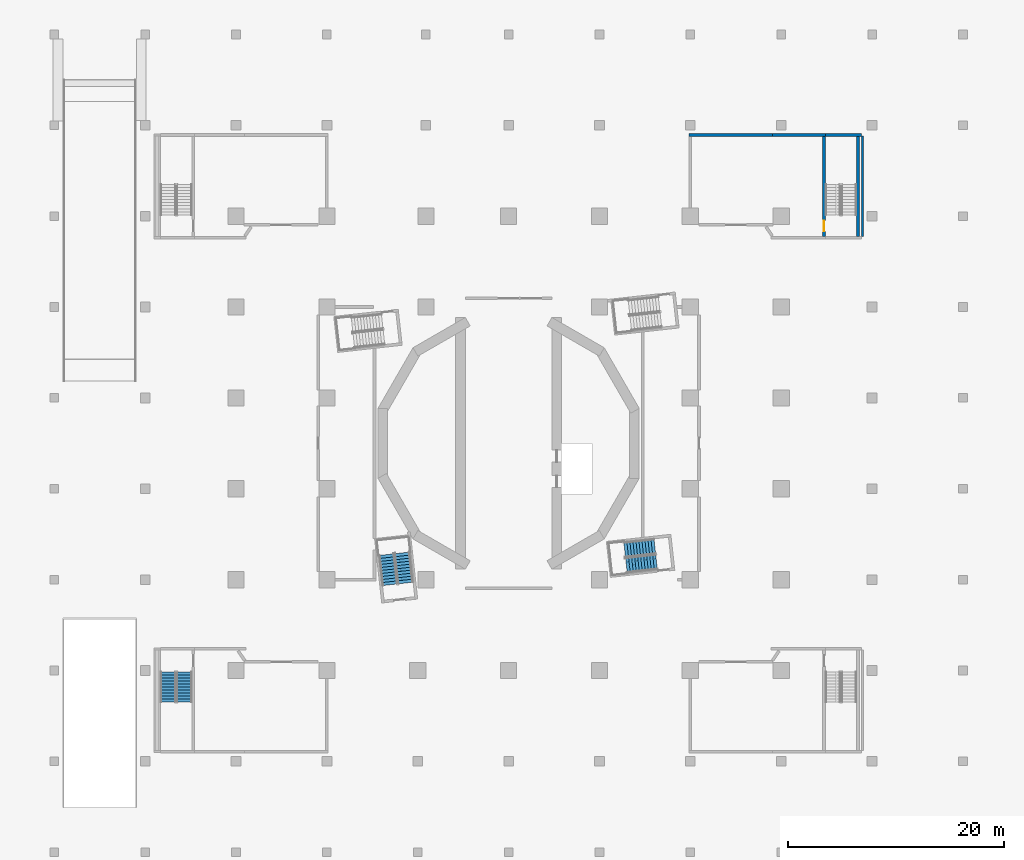
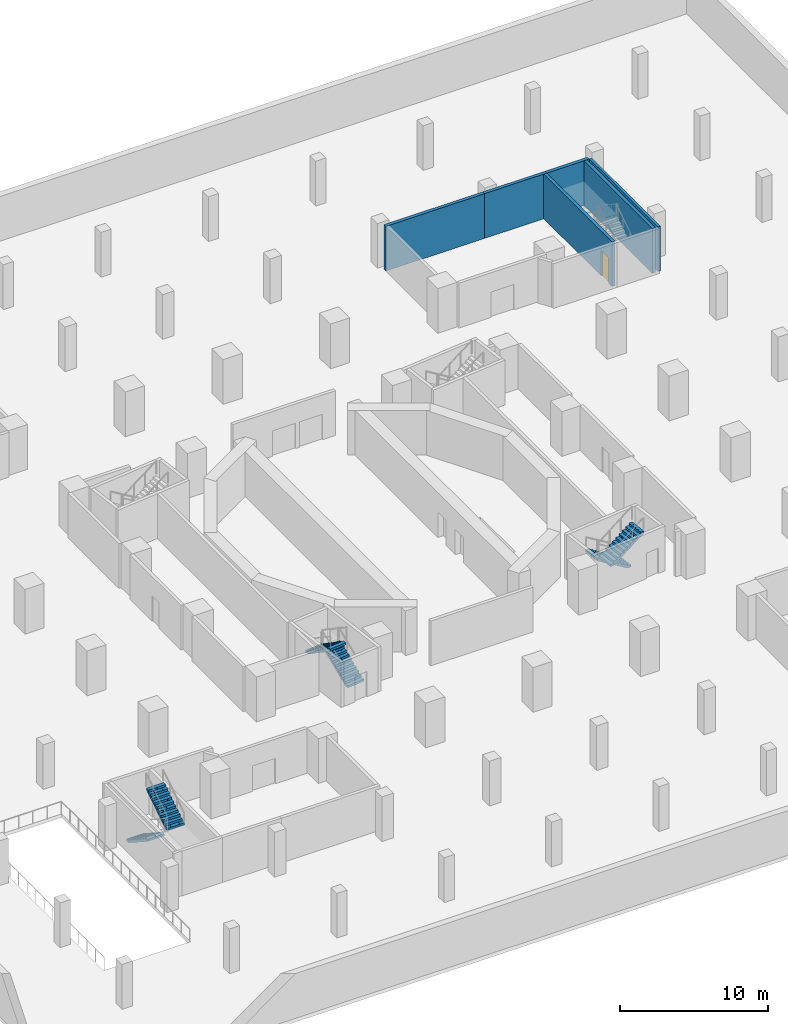
# One storey, part 10 of 18: 6 stair flights, 6 walls, 1 door, 1 opening, 3 elements without a shape of their own.
"""IFC4 building model written with IfcOpenShell, lengths in metres."""

from ifc_helpers import new_model, si_unit, direction, frame, frame_2d, origin, place, context, subcontext, project, spatial, polyline, rectangle, outline, extrude, material, layer, layer_set, type_object, element, fill, aggregate, save


model = new_model("IFC4")

# Units and contexts
model_context = context("Model", 3, precision=1e-05, world=origin(), true_north=direction((0.0, 1.0)))
body_context = subcontext(model_context, "Body", "Model", "MODEL_VIEW")
ifc_project = project(units=[si_unit("LENGTHUNIT", "METRE"), si_unit("AREAUNIT", "SQUARE_METRE"), si_unit("VOLUMEUNIT", "CUBIC_METRE"), si_unit("PLANEANGLEUNIT", "RADIAN"), si_unit("MASSUNIT", "GRAM", prefix="KILO")], contexts=[model_context])

# Site, building, storey
site_placement = place(None, origin())
site = spatial("IfcSite", under=ifc_project, at=site_placement, CompositionType="ELEMENT")
building_placement = place(site_placement, origin())
building = spatial("IfcBuilding", under=site, at=building_placement, Name="Cantera Rosa Tower", CompositionType="ELEMENT")
storey_placement = place(building_placement, frame((0.0, 0.0, -13.0)))
storey = spatial("IfcBuildingStorey", under=building, at=storey_placement, Name="B3", CompositionType="ELEMENT", Elevation=-13.0)

# Walls
ifc_material_1 = material(Name="Masonry blockwork", Category="masonry")
ifc_layer_1 = layer(ifc_material_1, 0.199951171875)
ifc_layer_set_1 = layer_set([ifc_layer_1], Name="Blockwork partition 200")
wall_type_1 = type_object("IfcWallType", Name="Blockwork partition 200", PredefinedType="PARTITIONING", material=ifc_layer_set_1)
wall_1_placement = place(storey_placement, frame((32.699951171875, 19.10009765625, 0.0), z_axis=(0.0, 0.0, 1.0), x_axis=(0.0, 1.0, 0.0)))
element("IfcWall", 1, at=wall_1_placement, inside=storey, type_object=wall_type_1, Name="Partition B3-33", PredefinedType="PARTITIONING", context=body_context, shape_type="SweptSolid", body=[
    extrude(rectangle(XDim=9.2998046875, YDim=0.199951171875, at=frame_2d((4.64990234375, 0.0))), origin(), (0.0, 0.0, 1.0), 3.699951171875),
])
ifc_material_2 = material(Name="Concrete C50/60", Category="concrete")
ifc_layer_2 = layer(ifc_material_2, 0.25)
ifc_layer_set_2 = layer_set([ifc_layer_2], Name="External stair wall 250")
wall_type_2 = type_object("IfcWallType", Name="External stair wall 250", PredefinedType="SOLIDWALL", material=ifc_layer_set_2)
wall_2_placement = place(storey_placement, frame((29.27490234375, 28.5, 0.0), z_axis=(0.0, 0.0, 1.0), x_axis=(1.0, 0.0, 0.0)))
element("IfcWall", 2, at=wall_2_placement, inside=storey, type_object=wall_type_2, Name="Stair wall B3-24", PredefinedType="SOLIDWALL", context=body_context, shape_type="SweptSolid", body=[
    extrude(rectangle(XDim=3.3251953125, YDim=0.25, at=frame_2d((1.66259765625, 0.0))), origin(), (0.0, 0.0, 1.0), 3.699951171875),
])
ifc_material_3 = material(Name="Masonry blockwork", Category="masonry")
ifc_layer_3 = layer(ifc_material_3, 0.25)
ifc_layer_set_3 = layer_set([ifc_layer_3], Name="Fire-rated external wall 250")
wall_type_3 = type_object("IfcWallType", Name="Fire-rated external wall 250", PredefinedType="PARTITIONING", material=ifc_layer_set_3)
wall_3_placement = place(storey_placement, frame((16.675048828125, 28.5, 0.0), z_axis=(0.0, 0.0, 1.0), x_axis=(1.0, 0.0, 0.0)))
element("IfcWall", 3, at=wall_3_placement, inside=storey, type_object=wall_type_3, Name="Fire wall B3-22", PredefinedType="PARTITIONING", context=body_context, shape_type="SweptSolid", body=[
    extrude(rectangle(XDim=7.724853515625, YDim=0.25, at=frame_2d((3.8623046875, 0.0))), origin(), (0.0, 0.0, 1.0), 3.699951171875),
])
wall_4_placement = place(storey_placement, frame((24.39990234375, 28.5, 0.0), z_axis=(0.0, 0.0, 1.0), x_axis=(1.0, 0.0, 0.0)))
element("IfcWall", 4, at=wall_4_placement, inside=storey, type_object=wall_type_3, Name="Fire wall B3-23", PredefinedType="PARTITIONING", context=body_context, shape_type="SweptSolid", body=[
    extrude(rectangle(XDim=4.875, YDim=0.25, at=frame_2d((2.4375, 0.0))), origin(), (0.0, 0.0, 1.0), 3.699951171875),
])
ifc_material_4 = material(Name="Concrete C50/60", Category="concrete")
ifc_layer_4 = layer(ifc_material_4, 0.25)
ifc_layer_set_4 = layer_set([ifc_layer_4], Name="RC stair wall 250 C50/60")
wall_type_4 = type_object("IfcWallType", Name="RC stair wall 250", PredefinedType="SOLIDWALL", material=ifc_layer_set_4)
wall_5_placement = place(storey_placement, frame((32.300048828125, 19.125, 0.0), z_axis=(0.0, 0.0, 1.0), x_axis=(0.0, 1.0, 0.0)))
element("IfcWall", 5, at=wall_5_placement, inside=storey, type_object=wall_type_4, Name="Stair wall B3-17", PredefinedType="SOLIDWALL", context=body_context, shape_type="SweptSolid", body=[
    extrude(rectangle(XDim=9.25, YDim=0.25, at=frame_2d((4.625, 0.0))), origin(), (0.0, 0.0, 1.0), 3.699951171875),
])

# Wall, opening, door
wall_6_placement = place(storey_placement, frame((29.14990234375, 19.125, 0.0), z_axis=(0.0, 0.0, 1.0), x_axis=(0.0, 1.0, 0.0)))
wall_6 = element("IfcWall", 6, at=wall_6_placement, inside=storey, type_object=wall_type_4, Name="Stair wall B3-26", PredefinedType="SOLIDWALL", context=body_context, shape_type="SweptSolid", body=[
    extrude(rectangle(XDim=9.25, YDim=0.25, at=frame_2d((4.625, 0.0))), origin(), (0.0, 0.0, 1.0), 3.699951171875),
])
opening_placement = place(wall_6_placement, frame((0.47509765625, 0.0, 0.0)))
opening = element("IfcOpeningElement", 7, at=opening_placement, cuts=wall_6, Name="Opening B3-002", PredefinedType="OPENING", context=body_context, shape_type="SweptSolid", body=[
    extrude(rectangle(XDim=1.0, YDim=2.10009765625, at=frame_2d((0.5, 1.050048828125))), frame((0.0, 0.135009765625, 0.0), z_axis=(0.0, -1.0, 0.0), x_axis=(1.0, 0.0, 0.0)), (0.0, 0.0, 1.0), 0.27001953125),
])
ifc_material_5 = material(Name="Steel S355J2 (EN 10025-2)", Category="steel")
door_type = type_object("IfcDoorType", Name="Fire door 1000x2100 EI 120", OperationType="NOTDEFINED", PredefinedType="DOOR", material=ifc_material_5)
door_placement = place(opening_placement, origin())
door = element("IfcDoor", 8, at=door_placement, inside=storey, type_object=door_type, Name="Door B3-002", OverallHeight=2.10009765625, OverallWidth=1.0, PredefinedType="DOOR", context=body_context, shape_type="SweptSolid", body=[
    extrude(rectangle(XDim=1.0, YDim=2.10009765625, at=frame_2d((0.5, 1.050048828125))), frame((0.0, 0.02490234375, 0.0), z_axis=(0.0, -1.0, 0.0), x_axis=(1.0, 0.0, 0.0)), (0.0, 0.0, 1.0), 0.050048828125),
])
fill(opening, door)

# Stair, stair flights
ifc_material_6 = material(Name="Concrete C35/45", Category="concrete")
stair_type_1 = type_object("IfcStairType", Name="EXIT STAIR 1350 DOGLEG", PredefinedType="HALF_TURN_STAIR", material=ifc_material_6)
stair_1_placement = place(storey_placement, origin())
stair_1 = element("IfcStair", 9, at=stair_1_placement, inside=storey, type_object=stair_type_1, Name="B3 ST-13", PredefinedType="HALF_TURN_STAIR")
ifc_material_7 = material(Name="Concrete C35/45", Category="concrete")
stair_flight_type_1 = type_object("IfcStairFlightType", Name="STAIR FLIGHT 1350 R22x182", PredefinedType="STRAIGHT", material=ifc_material_7)
stair_flight_1_placement = place(storey_placement, frame((-9.500244140625, -12.90869140625, 0.0), z_axis=(0.0, 0.0, 1.0), x_axis=(-0.110312549749, 0.993896947056, 0.0)))
stair_flight_1 = element("IfcStairFlight", 10, at=stair_flight_1_placement, type_object=stair_flight_type_1, Name="ST-13 flight 1", NumberOfRisers=11, NumberOfTreads=10, PredefinedType="STRAIGHT", RiserHeight=0.181818182, TreadLength=0.28, context=body_context, shape_type="SweptSolid", body=[
    extrude(outline(polyline([(0.0, 0.0), (0.0, 0.181884765625), (0.280029296875, 0.181884765625), (0.280029296875, 0.363525390625), (0.56005859375, 0.363525390625), (0.56005859375, 0.54541015625), (0.840087890625, 0.54541015625), (0.840087890625, 0.727294921875), (1.1201171875, 0.727294921875), (1.1201171875, 0.9091796875), (1.39990234375, 0.9091796875), (1.39990234375, 1.0908203125), (1.679931640625, 1.0908203125), (1.679931640625, 1.272705078125), (1.9599609375, 1.272705078125), (1.9599609375, 1.45458984375), (2.239990234375, 1.45458984375), (2.239990234375, 1.636474609375), (2.52001953125, 1.636474609375), (2.52001953125, 1.818115234375), (2.800048828125, 1.818115234375), (2.800048828125, 2.0), (2.800048828125, 1.639404296875), (0.275146484375, 0.0), (0.0, 0.0)])), frame((0.0, 0.675048828125, 0.0), z_axis=(0.0, -1.0, 0.0), x_axis=(1.0, 0.0, 0.0)), (0.0, 0.0, 1.0), 0.3359375),
    extrude(outline(polyline([(0.0, 0.0), (0.0, 0.181884765625), (0.280029296875, 0.181884765625), (0.280029296875, 0.363525390625), (0.56005859375, 0.363525390625), (0.56005859375, 0.54541015625), (0.840087890625, 0.54541015625), (0.840087890625, 0.727294921875), (1.1201171875, 0.727294921875), (1.1201171875, 0.9091796875), (1.39990234375, 0.9091796875), (1.39990234375, 1.0908203125), (1.679931640625, 1.0908203125), (1.679931640625, 1.272705078125), (1.9599609375, 1.272705078125), (1.9599609375, 1.45458984375), (2.239990234375, 1.45458984375), (2.239990234375, 1.636474609375), (2.52001953125, 1.636474609375), (2.52001953125, 1.818115234375), (2.800048828125, 1.818115234375), (2.800048828125, 2.0), (2.800048828125, 1.639404296875), (0.275146484375, 0.0), (0.0, 0.0)])), frame((0.0, 0.337158203125, 0.0), z_axis=(0.0, -1.0, 0.0), x_axis=(1.0, 0.0, 0.0)), (0.0, 0.0, 1.0), 0.3359375),
    extrude(outline(polyline([(0.0, 0.0), (0.0, 0.181884765625), (0.280029296875, 0.181884765625), (0.280029296875, 0.363525390625), (0.56005859375, 0.363525390625), (0.56005859375, 0.54541015625), (0.840087890625, 0.54541015625), (0.840087890625, 0.727294921875), (1.1201171875, 0.727294921875), (1.1201171875, 0.9091796875), (1.39990234375, 0.9091796875), (1.39990234375, 1.0908203125), (1.679931640625, 1.0908203125), (1.679931640625, 1.272705078125), (1.9599609375, 1.272705078125), (1.9599609375, 1.45458984375), (2.239990234375, 1.45458984375), (2.239990234375, 1.636474609375), (2.52001953125, 1.636474609375), (2.52001953125, 1.818115234375), (2.800048828125, 1.818115234375), (2.800048828125, 2.0), (2.800048828125, 1.639404296875), (0.275146484375, 0.0), (0.0, 0.0)])), frame((0.0, -0.000732421875, 0.0), z_axis=(0.0, -1.0, 0.0), x_axis=(1.0, 0.0, 0.0)), (0.0, 0.0, 1.0), 0.3359375),
    extrude(outline(polyline([(0.0, 0.0), (0.0, 0.181884765625), (0.280029296875, 0.181884765625), (0.280029296875, 0.363525390625), (0.56005859375, 0.363525390625), (0.56005859375, 0.54541015625), (0.840087890625, 0.54541015625), (0.840087890625, 0.727294921875), (1.1201171875, 0.727294921875), (1.1201171875, 0.9091796875), (1.39990234375, 0.9091796875), (1.39990234375, 1.0908203125), (1.679931640625, 1.0908203125), (1.679931640625, 1.272705078125), (1.9599609375, 1.272705078125), (1.9599609375, 1.45458984375), (2.239990234375, 1.45458984375), (2.239990234375, 1.636474609375), (2.52001953125, 1.636474609375), (2.52001953125, 1.818115234375), (2.800048828125, 1.818115234375), (2.800048828125, 2.0), (2.800048828125, 1.639404296875), (0.275146484375, 0.0), (0.0, 0.0)])), frame((0.0, -0.338623046875, 0.0), z_axis=(0.0, -1.0, 0.0), x_axis=(1.0, 0.0, 0.0)), (0.0, 0.0, 1.0), 0.3359375),
])
stair_flight_2_placement = place(storey_placement, frame((-11.2998046875, -10.291259765625, 2.0), z_axis=(0.0, 0.0, 1.0), x_axis=(0.110312549749, -0.993896947056, 0.0)))
stair_flight_2 = element("IfcStairFlight", 11, at=stair_flight_2_placement, type_object=stair_flight_type_1, Name="ST-13 flight 2", NumberOfRisers=11, NumberOfTreads=10, PredefinedType="STRAIGHT", RiserHeight=0.181818182, TreadLength=0.28, context=body_context, shape_type="SweptSolid", body=[
    extrude(outline(polyline([(0.0, 0.0), (0.0, 0.181884765625), (0.280029296875, 0.181884765625), (0.280029296875, 0.363525390625), (0.56005859375, 0.363525390625), (0.56005859375, 0.54541015625), (0.840087890625, 0.54541015625), (0.840087890625, 0.727294921875), (1.1201171875, 0.727294921875), (1.1201171875, 0.9091796875), (1.39990234375, 0.9091796875), (1.39990234375, 1.0908203125), (1.679931640625, 1.0908203125), (1.679931640625, 1.272705078125), (1.9599609375, 1.272705078125), (1.9599609375, 1.45458984375), (2.239990234375, 1.45458984375), (2.239990234375, 1.636474609375), (2.52001953125, 1.636474609375), (2.52001953125, 1.818115234375), (2.800048828125, 1.818115234375), (2.800048828125, 2.0), (2.800048828125, 1.639404296875), (0.275146484375, 0.0), (0.0, 0.0)])), frame((0.0, 0.675048828125, 0.0), z_axis=(0.0, -1.0, 0.0), x_axis=(1.0, 0.0, 0.0)), (0.0, 0.0, 1.0), 0.3359375),
    extrude(outline(polyline([(0.0, 0.0), (0.0, 0.181884765625), (0.280029296875, 0.181884765625), (0.280029296875, 0.363525390625), (0.56005859375, 0.363525390625), (0.56005859375, 0.54541015625), (0.840087890625, 0.54541015625), (0.840087890625, 0.727294921875), (1.1201171875, 0.727294921875), (1.1201171875, 0.9091796875), (1.39990234375, 0.9091796875), (1.39990234375, 1.0908203125), (1.679931640625, 1.0908203125), (1.679931640625, 1.272705078125), (1.9599609375, 1.272705078125), (1.9599609375, 1.45458984375), (2.239990234375, 1.45458984375), (2.239990234375, 1.636474609375), (2.52001953125, 1.636474609375), (2.52001953125, 1.818115234375), (2.800048828125, 1.818115234375), (2.800048828125, 2.0), (2.800048828125, 1.639404296875), (0.275146484375, 0.0), (0.0, 0.0)])), frame((0.0, 0.337158203125, 0.0), z_axis=(0.0, -1.0, 0.0), x_axis=(1.0, 0.0, 0.0)), (0.0, 0.0, 1.0), 0.3359375),
    extrude(outline(polyline([(0.0, 0.0), (0.0, 0.181884765625), (0.280029296875, 0.181884765625), (0.280029296875, 0.363525390625), (0.56005859375, 0.363525390625), (0.56005859375, 0.54541015625), (0.840087890625, 0.54541015625), (0.840087890625, 0.727294921875), (1.1201171875, 0.727294921875), (1.1201171875, 0.9091796875), (1.39990234375, 0.9091796875), (1.39990234375, 1.0908203125), (1.679931640625, 1.0908203125), (1.679931640625, 1.272705078125), (1.9599609375, 1.272705078125), (1.9599609375, 1.45458984375), (2.239990234375, 1.45458984375), (2.239990234375, 1.636474609375), (2.52001953125, 1.636474609375), (2.52001953125, 1.818115234375), (2.800048828125, 1.818115234375), (2.800048828125, 2.0), (2.800048828125, 1.639404296875), (0.275146484375, 0.0), (0.0, 0.0)])), frame((0.0, -0.000732421875, 0.0), z_axis=(0.0, -1.0, 0.0), x_axis=(1.0, 0.0, 0.0)), (0.0, 0.0, 1.0), 0.3359375),
    extrude(outline(polyline([(0.0, 0.0), (0.0, 0.181884765625), (0.280029296875, 0.181884765625), (0.280029296875, 0.363525390625), (0.56005859375, 0.363525390625), (0.56005859375, 0.54541015625), (0.840087890625, 0.54541015625), (0.840087890625, 0.727294921875), (1.1201171875, 0.727294921875), (1.1201171875, 0.9091796875), (1.39990234375, 0.9091796875), (1.39990234375, 1.0908203125), (1.679931640625, 1.0908203125), (1.679931640625, 1.272705078125), (1.9599609375, 1.272705078125), (1.9599609375, 1.45458984375), (2.239990234375, 1.45458984375), (2.239990234375, 1.636474609375), (2.52001953125, 1.636474609375), (2.52001953125, 1.818115234375), (2.800048828125, 1.818115234375), (2.800048828125, 2.0), (2.800048828125, 1.639404296875), (0.275146484375, 0.0), (0.0, 0.0)])), frame((0.0, -0.338623046875, 0.0), z_axis=(0.0, -1.0, 0.0), x_axis=(1.0, 0.0, 0.0)), (0.0, 0.0, 1.0), 0.3359375),
])
aggregate(stair_1, [stair_flight_1, stair_flight_2])

stair_2_placement = place(storey_placement, origin())
stair_2 = element("IfcStair", 12, at=stair_2_placement, inside=storey, type_object=stair_type_1, Name="B3 ST-14", PredefinedType="HALF_TURN_STAIR")
stair_flight_3_placement = place(storey_placement, frame((13.5087890625, -9.500244140625, 0.0), z_axis=(0.0, 0.0, 1.0), x_axis=(-0.993896947056, -0.110312549749, 0.0)))
stair_flight_3 = element("IfcStairFlight", 13, at=stair_flight_3_placement, type_object=stair_flight_type_1, Name="ST-14 flight 1", NumberOfRisers=11, NumberOfTreads=10, PredefinedType="STRAIGHT", RiserHeight=0.181818182, TreadLength=0.28, context=body_context, shape_type="SweptSolid", body=[
    extrude(outline(polyline([(0.0, 0.0), (0.0, 0.181884765625), (0.280029296875, 0.181884765625), (0.280029296875, 0.363525390625), (0.56005859375, 0.363525390625), (0.56005859375, 0.54541015625), (0.840087890625, 0.54541015625), (0.840087890625, 0.727294921875), (1.1201171875, 0.727294921875), (1.1201171875, 0.9091796875), (1.39990234375, 0.9091796875), (1.39990234375, 1.0908203125), (1.679931640625, 1.0908203125), (1.679931640625, 1.272705078125), (1.9599609375, 1.272705078125), (1.9599609375, 1.45458984375), (2.239990234375, 1.45458984375), (2.239990234375, 1.636474609375), (2.52001953125, 1.636474609375), (2.52001953125, 1.818115234375), (2.800048828125, 1.818115234375), (2.800048828125, 2.0), (2.800048828125, 1.639404296875), (0.275146484375, 0.0), (0.0, 0.0)])), frame((0.0, 0.675048828125, 0.0), z_axis=(0.0, -1.0, 0.0), x_axis=(1.0, 0.0, 0.0)), (0.0, 0.0, 1.0), 0.3359375),
    extrude(outline(polyline([(0.0, 0.0), (0.0, 0.181884765625), (0.280029296875, 0.181884765625), (0.280029296875, 0.363525390625), (0.56005859375, 0.363525390625), (0.56005859375, 0.54541015625), (0.840087890625, 0.54541015625), (0.840087890625, 0.727294921875), (1.1201171875, 0.727294921875), (1.1201171875, 0.9091796875), (1.39990234375, 0.9091796875), (1.39990234375, 1.0908203125), (1.679931640625, 1.0908203125), (1.679931640625, 1.272705078125), (1.9599609375, 1.272705078125), (1.9599609375, 1.45458984375), (2.239990234375, 1.45458984375), (2.239990234375, 1.636474609375), (2.52001953125, 1.636474609375), (2.52001953125, 1.818115234375), (2.800048828125, 1.818115234375), (2.800048828125, 2.0), (2.800048828125, 1.639404296875), (0.275146484375, 0.0), (0.0, 0.0)])), frame((0.0, 0.337158203125, 0.0), z_axis=(0.0, -1.0, 0.0), x_axis=(1.0, 0.0, 0.0)), (0.0, 0.0, 1.0), 0.3359375),
    extrude(outline(polyline([(0.0, 0.0), (0.0, 0.181884765625), (0.280029296875, 0.181884765625), (0.280029296875, 0.363525390625), (0.56005859375, 0.363525390625), (0.56005859375, 0.54541015625), (0.840087890625, 0.54541015625), (0.840087890625, 0.727294921875), (1.1201171875, 0.727294921875), (1.1201171875, 0.9091796875), (1.39990234375, 0.9091796875), (1.39990234375, 1.0908203125), (1.679931640625, 1.0908203125), (1.679931640625, 1.272705078125), (1.9599609375, 1.272705078125), (1.9599609375, 1.45458984375), (2.239990234375, 1.45458984375), (2.239990234375, 1.636474609375), (2.52001953125, 1.636474609375), (2.52001953125, 1.818115234375), (2.800048828125, 1.818115234375), (2.800048828125, 2.0), (2.800048828125, 1.639404296875), (0.275146484375, 0.0), (0.0, 0.0)])), frame((0.0, -0.000732421875, 0.0), z_axis=(0.0, -1.0, 0.0), x_axis=(1.0, 0.0, 0.0)), (0.0, 0.0, 1.0), 0.3359375),
    extrude(outline(polyline([(0.0, 0.0), (0.0, 0.181884765625), (0.280029296875, 0.181884765625), (0.280029296875, 0.363525390625), (0.56005859375, 0.363525390625), (0.56005859375, 0.54541015625), (0.840087890625, 0.54541015625), (0.840087890625, 0.727294921875), (1.1201171875, 0.727294921875), (1.1201171875, 0.9091796875), (1.39990234375, 0.9091796875), (1.39990234375, 1.0908203125), (1.679931640625, 1.0908203125), (1.679931640625, 1.272705078125), (1.9599609375, 1.272705078125), (1.9599609375, 1.45458984375), (2.239990234375, 1.45458984375), (2.239990234375, 1.636474609375), (2.52001953125, 1.636474609375), (2.52001953125, 1.818115234375), (2.800048828125, 1.818115234375), (2.800048828125, 2.0), (2.800048828125, 1.639404296875), (0.275146484375, 0.0), (0.0, 0.0)])), frame((0.0, -0.338623046875, 0.0), z_axis=(0.0, -1.0, 0.0), x_axis=(1.0, 0.0, 0.0)), (0.0, 0.0, 1.0), 0.3359375),
])
stair_flight_4_placement = place(storey_placement, frame((10.891357421875, -11.2998046875, 2.0), z_axis=(0.0, 0.0, 1.0), x_axis=(0.993896947056, 0.110312549749, 0.0)))
stair_flight_4 = element("IfcStairFlight", 14, at=stair_flight_4_placement, type_object=stair_flight_type_1, Name="ST-14 flight 2", NumberOfRisers=11, NumberOfTreads=10, PredefinedType="STRAIGHT", RiserHeight=0.181818182, TreadLength=0.28, context=body_context, shape_type="SweptSolid", body=[
    extrude(outline(polyline([(0.0, 0.0), (0.0, 0.181884765625), (0.280029296875, 0.181884765625), (0.280029296875, 0.363525390625), (0.56005859375, 0.363525390625), (0.56005859375, 0.54541015625), (0.840087890625, 0.54541015625), (0.840087890625, 0.727294921875), (1.1201171875, 0.727294921875), (1.1201171875, 0.9091796875), (1.39990234375, 0.9091796875), (1.39990234375, 1.0908203125), (1.679931640625, 1.0908203125), (1.679931640625, 1.272705078125), (1.9599609375, 1.272705078125), (1.9599609375, 1.45458984375), (2.239990234375, 1.45458984375), (2.239990234375, 1.636474609375), (2.52001953125, 1.636474609375), (2.52001953125, 1.818115234375), (2.800048828125, 1.818115234375), (2.800048828125, 2.0), (2.800048828125, 1.639404296875), (0.275146484375, 0.0), (0.0, 0.0)])), frame((0.0, 0.675048828125, 0.0), z_axis=(0.0, -1.0, 0.0), x_axis=(1.0, 0.0, 0.0)), (0.0, 0.0, 1.0), 0.3359375),
    extrude(outline(polyline([(0.0, 0.0), (0.0, 0.181884765625), (0.280029296875, 0.181884765625), (0.280029296875, 0.363525390625), (0.56005859375, 0.363525390625), (0.56005859375, 0.54541015625), (0.840087890625, 0.54541015625), (0.840087890625, 0.727294921875), (1.1201171875, 0.727294921875), (1.1201171875, 0.9091796875), (1.39990234375, 0.9091796875), (1.39990234375, 1.0908203125), (1.679931640625, 1.0908203125), (1.679931640625, 1.272705078125), (1.9599609375, 1.272705078125), (1.9599609375, 1.45458984375), (2.239990234375, 1.45458984375), (2.239990234375, 1.636474609375), (2.52001953125, 1.636474609375), (2.52001953125, 1.818115234375), (2.800048828125, 1.818115234375), (2.800048828125, 2.0), (2.800048828125, 1.639404296875), (0.275146484375, 0.0), (0.0, 0.0)])), frame((0.0, 0.337158203125, 0.0), z_axis=(0.0, -1.0, 0.0), x_axis=(1.0, 0.0, 0.0)), (0.0, 0.0, 1.0), 0.3359375),
    extrude(outline(polyline([(0.0, 0.0), (0.0, 0.181884765625), (0.280029296875, 0.181884765625), (0.280029296875, 0.363525390625), (0.56005859375, 0.363525390625), (0.56005859375, 0.54541015625), (0.840087890625, 0.54541015625), (0.840087890625, 0.727294921875), (1.1201171875, 0.727294921875), (1.1201171875, 0.9091796875), (1.39990234375, 0.9091796875), (1.39990234375, 1.0908203125), (1.679931640625, 1.0908203125), (1.679931640625, 1.272705078125), (1.9599609375, 1.272705078125), (1.9599609375, 1.45458984375), (2.239990234375, 1.45458984375), (2.239990234375, 1.636474609375), (2.52001953125, 1.636474609375), (2.52001953125, 1.818115234375), (2.800048828125, 1.818115234375), (2.800048828125, 2.0), (2.800048828125, 1.639404296875), (0.275146484375, 0.0), (0.0, 0.0)])), frame((0.0, -0.000732421875, 0.0), z_axis=(0.0, -1.0, 0.0), x_axis=(1.0, 0.0, 0.0)), (0.0, 0.0, 1.0), 0.3359375),
    extrude(outline(polyline([(0.0, 0.0), (0.0, 0.181884765625), (0.280029296875, 0.181884765625), (0.280029296875, 0.363525390625), (0.56005859375, 0.363525390625), (0.56005859375, 0.54541015625), (0.840087890625, 0.54541015625), (0.840087890625, 0.727294921875), (1.1201171875, 0.727294921875), (1.1201171875, 0.9091796875), (1.39990234375, 0.9091796875), (1.39990234375, 1.0908203125), (1.679931640625, 1.0908203125), (1.679931640625, 1.272705078125), (1.9599609375, 1.272705078125), (1.9599609375, 1.45458984375), (2.239990234375, 1.45458984375), (2.239990234375, 1.636474609375), (2.52001953125, 1.636474609375), (2.52001953125, 1.818115234375), (2.800048828125, 1.818115234375), (2.800048828125, 2.0), (2.800048828125, 1.639404296875), (0.275146484375, 0.0), (0.0, 0.0)])), frame((0.0, -0.338623046875, 0.0), z_axis=(0.0, -1.0, 0.0), x_axis=(1.0, 0.0, 0.0)), (0.0, 0.0, 1.0), 0.3359375),
])
aggregate(stair_2, [stair_flight_3, stair_flight_4])

ifc_material_8 = material(Name="Concrete C35/45", Category="concrete")
stair_type_2 = type_object("IfcStairType", Name="Stair half-turn 1350", PredefinedType="HALF_TURN_STAIR", material=ifc_material_8)
stair_3_placement = place(storey_placement, origin())
stair_3 = element("IfcStair", 15, at=stair_3_placement, inside=storey, type_object=stair_type_2, Name="B3 ST-SW", PredefinedType="HALF_TURN_STAIR")
ifc_material_9 = material(Name="Concrete C35/45", Category="concrete")
stair_flight_type_2 = type_object("IfcStairFlightType", Name="Stair flight 1350", PredefinedType="STRAIGHT", material=ifc_material_9)
stair_flight_5_placement = place(storey_placement, frame((-31.5, -21.125, 0.0), z_axis=(0.0, 0.0, 1.0), x_axis=(0.0, -1.0, 0.0)))
stair_flight_5 = element("IfcStairFlight", 16, at=stair_flight_5_placement, type_object=stair_flight_type_2, Name="ST-SW flight 1", NumberOfRisers=11, NumberOfTreads=10, PredefinedType="STRAIGHT", RiserHeight=0.181818182, TreadLength=0.28, context=body_context, shape_type="SweptSolid", body=[
    extrude(outline(polyline([(0.0, 0.0), (0.0, 0.181884765625), (0.280029296875, 0.181884765625), (0.280029296875, 0.363525390625), (0.56005859375, 0.363525390625), (0.56005859375, 0.54541015625), (0.840087890625, 0.54541015625), (0.840087890625, 0.727294921875), (1.1201171875, 0.727294921875), (1.1201171875, 0.9091796875), (1.39990234375, 0.9091796875), (1.39990234375, 1.0908203125), (1.679931640625, 1.0908203125), (1.679931640625, 1.272705078125), (1.9599609375, 1.272705078125), (1.9599609375, 1.45458984375), (2.239990234375, 1.45458984375), (2.239990234375, 1.636474609375), (2.52001953125, 1.636474609375), (2.52001953125, 1.818115234375), (2.800048828125, 1.818115234375), (2.800048828125, 2.0), (2.800048828125, 1.639404296875), (0.275146484375, 0.0), (0.0, 0.0)])), frame((0.0, 0.675048828125, 0.0), z_axis=(0.0, -1.0, 0.0), x_axis=(1.0, 0.0, 0.0)), (0.0, 0.0, 1.0), 0.3359375),
    extrude(outline(polyline([(0.0, 0.0), (0.0, 0.181884765625), (0.280029296875, 0.181884765625), (0.280029296875, 0.363525390625), (0.56005859375, 0.363525390625), (0.56005859375, 0.54541015625), (0.840087890625, 0.54541015625), (0.840087890625, 0.727294921875), (1.1201171875, 0.727294921875), (1.1201171875, 0.9091796875), (1.39990234375, 0.9091796875), (1.39990234375, 1.0908203125), (1.679931640625, 1.0908203125), (1.679931640625, 1.272705078125), (1.9599609375, 1.272705078125), (1.9599609375, 1.45458984375), (2.239990234375, 1.45458984375), (2.239990234375, 1.636474609375), (2.52001953125, 1.636474609375), (2.52001953125, 1.818115234375), (2.800048828125, 1.818115234375), (2.800048828125, 2.0), (2.800048828125, 1.639404296875), (0.275146484375, 0.0), (0.0, 0.0)])), frame((0.0, 0.337158203125, 0.0), z_axis=(0.0, -1.0, 0.0), x_axis=(1.0, 0.0, 0.0)), (0.0, 0.0, 1.0), 0.3359375),
    extrude(outline(polyline([(0.0, 0.0), (0.0, 0.181884765625), (0.280029296875, 0.181884765625), (0.280029296875, 0.363525390625), (0.56005859375, 0.363525390625), (0.56005859375, 0.54541015625), (0.840087890625, 0.54541015625), (0.840087890625, 0.727294921875), (1.1201171875, 0.727294921875), (1.1201171875, 0.9091796875), (1.39990234375, 0.9091796875), (1.39990234375, 1.0908203125), (1.679931640625, 1.0908203125), (1.679931640625, 1.272705078125), (1.9599609375, 1.272705078125), (1.9599609375, 1.45458984375), (2.239990234375, 1.45458984375), (2.239990234375, 1.636474609375), (2.52001953125, 1.636474609375), (2.52001953125, 1.818115234375), (2.800048828125, 1.818115234375), (2.800048828125, 2.0), (2.800048828125, 1.639404296875), (0.275146484375, 0.0), (0.0, 0.0)])), frame((0.0, -0.000732421875, 0.0), z_axis=(0.0, -1.0, 0.0), x_axis=(1.0, 0.0, 0.0)), (0.0, 0.0, 1.0), 0.3359375),
    extrude(outline(polyline([(0.0, 0.0), (0.0, 0.181884765625), (0.280029296875, 0.181884765625), (0.280029296875, 0.363525390625), (0.56005859375, 0.363525390625), (0.56005859375, 0.54541015625), (0.840087890625, 0.54541015625), (0.840087890625, 0.727294921875), (1.1201171875, 0.727294921875), (1.1201171875, 0.9091796875), (1.39990234375, 0.9091796875), (1.39990234375, 1.0908203125), (1.679931640625, 1.0908203125), (1.679931640625, 1.272705078125), (1.9599609375, 1.272705078125), (1.9599609375, 1.45458984375), (2.239990234375, 1.45458984375), (2.239990234375, 1.636474609375), (2.52001953125, 1.636474609375), (2.52001953125, 1.818115234375), (2.800048828125, 1.818115234375), (2.800048828125, 2.0), (2.800048828125, 1.639404296875), (0.275146484375, 0.0), (0.0, 0.0)])), frame((0.0, -0.338623046875, 0.0), z_axis=(0.0, -1.0, 0.0), x_axis=(1.0, 0.0, 0.0)), (0.0, 0.0, 1.0), 0.3359375),
])
stair_flight_6_placement = place(storey_placement, frame((-29.949951171875, -23.925048828125, 2.0), z_axis=(0.0, 0.0, 1.0), x_axis=(0.0, 1.0, 0.0)))
stair_flight_6 = element("IfcStairFlight", 17, at=stair_flight_6_placement, type_object=stair_flight_type_2, Name="ST-SW flight 2", NumberOfRisers=11, NumberOfTreads=10, PredefinedType="STRAIGHT", RiserHeight=0.181818182, TreadLength=0.28, context=body_context, shape_type="SweptSolid", body=[
    extrude(outline(polyline([(0.0, 0.0), (0.0, 0.181884765625), (0.280029296875, 0.181884765625), (0.280029296875, 0.363525390625), (0.56005859375, 0.363525390625), (0.56005859375, 0.54541015625), (0.840087890625, 0.54541015625), (0.840087890625, 0.727294921875), (1.1201171875, 0.727294921875), (1.1201171875, 0.9091796875), (1.39990234375, 0.9091796875), (1.39990234375, 1.0908203125), (1.679931640625, 1.0908203125), (1.679931640625, 1.272705078125), (1.9599609375, 1.272705078125), (1.9599609375, 1.45458984375), (2.239990234375, 1.45458984375), (2.239990234375, 1.636474609375), (2.52001953125, 1.636474609375), (2.52001953125, 1.818115234375), (2.800048828125, 1.818115234375), (2.800048828125, 2.0), (2.800048828125, 1.639404296875), (0.275146484375, 0.0), (0.0, 0.0)])), frame((0.0, 0.675048828125, 0.0), z_axis=(0.0, -1.0, 0.0), x_axis=(1.0, 0.0, 0.0)), (0.0, 0.0, 1.0), 0.3359375),
    extrude(outline(polyline([(0.0, 0.0), (0.0, 0.181884765625), (0.280029296875, 0.181884765625), (0.280029296875, 0.363525390625), (0.56005859375, 0.363525390625), (0.56005859375, 0.54541015625), (0.840087890625, 0.54541015625), (0.840087890625, 0.727294921875), (1.1201171875, 0.727294921875), (1.1201171875, 0.9091796875), (1.39990234375, 0.9091796875), (1.39990234375, 1.0908203125), (1.679931640625, 1.0908203125), (1.679931640625, 1.272705078125), (1.9599609375, 1.272705078125), (1.9599609375, 1.45458984375), (2.239990234375, 1.45458984375), (2.239990234375, 1.636474609375), (2.52001953125, 1.636474609375), (2.52001953125, 1.818115234375), (2.800048828125, 1.818115234375), (2.800048828125, 2.0), (2.800048828125, 1.639404296875), (0.275146484375, 0.0), (0.0, 0.0)])), frame((0.0, 0.337158203125, 0.0), z_axis=(0.0, -1.0, 0.0), x_axis=(1.0, 0.0, 0.0)), (0.0, 0.0, 1.0), 0.3359375),
    extrude(outline(polyline([(0.0, 0.0), (0.0, 0.181884765625), (0.280029296875, 0.181884765625), (0.280029296875, 0.363525390625), (0.56005859375, 0.363525390625), (0.56005859375, 0.54541015625), (0.840087890625, 0.54541015625), (0.840087890625, 0.727294921875), (1.1201171875, 0.727294921875), (1.1201171875, 0.9091796875), (1.39990234375, 0.9091796875), (1.39990234375, 1.0908203125), (1.679931640625, 1.0908203125), (1.679931640625, 1.272705078125), (1.9599609375, 1.272705078125), (1.9599609375, 1.45458984375), (2.239990234375, 1.45458984375), (2.239990234375, 1.636474609375), (2.52001953125, 1.636474609375), (2.52001953125, 1.818115234375), (2.800048828125, 1.818115234375), (2.800048828125, 2.0), (2.800048828125, 1.639404296875), (0.275146484375, 0.0), (0.0, 0.0)])), frame((0.0, -0.000732421875, 0.0), z_axis=(0.0, -1.0, 0.0), x_axis=(1.0, 0.0, 0.0)), (0.0, 0.0, 1.0), 0.3359375),
    extrude(outline(polyline([(0.0, 0.0), (0.0, 0.181884765625), (0.280029296875, 0.181884765625), (0.280029296875, 0.363525390625), (0.56005859375, 0.363525390625), (0.56005859375, 0.54541015625), (0.840087890625, 0.54541015625), (0.840087890625, 0.727294921875), (1.1201171875, 0.727294921875), (1.1201171875, 0.9091796875), (1.39990234375, 0.9091796875), (1.39990234375, 1.0908203125), (1.679931640625, 1.0908203125), (1.679931640625, 1.272705078125), (1.9599609375, 1.272705078125), (1.9599609375, 1.45458984375), (2.239990234375, 1.45458984375), (2.239990234375, 1.636474609375), (2.52001953125, 1.636474609375), (2.52001953125, 1.818115234375), (2.800048828125, 1.818115234375), (2.800048828125, 2.0), (2.800048828125, 1.639404296875), (0.275146484375, 0.0), (0.0, 0.0)])), frame((0.0, -0.338623046875, 0.0), z_axis=(0.0, -1.0, 0.0), x_axis=(1.0, 0.0, 0.0)), (0.0, 0.0, 1.0), 0.3359375),
])
aggregate(stair_3, [stair_flight_5, stair_flight_6])

save(model, "model.ifc")
